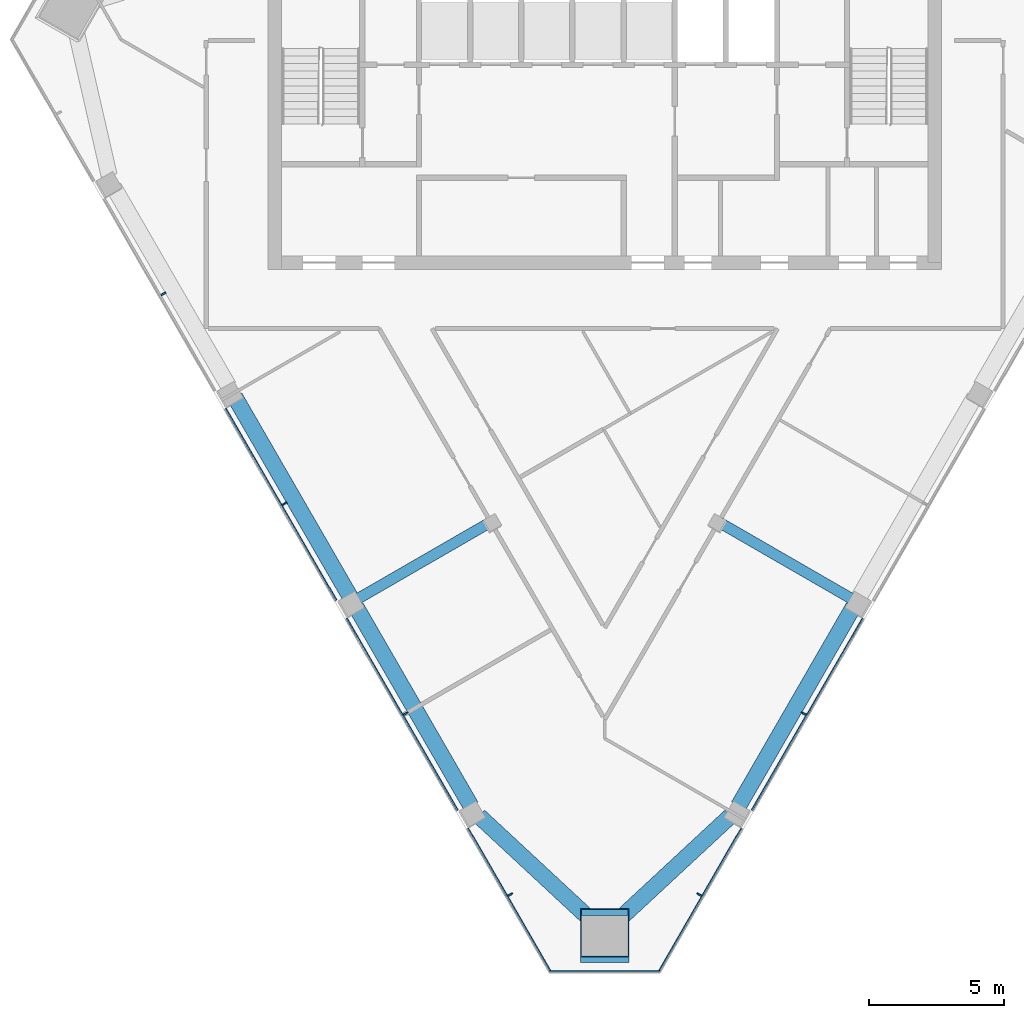
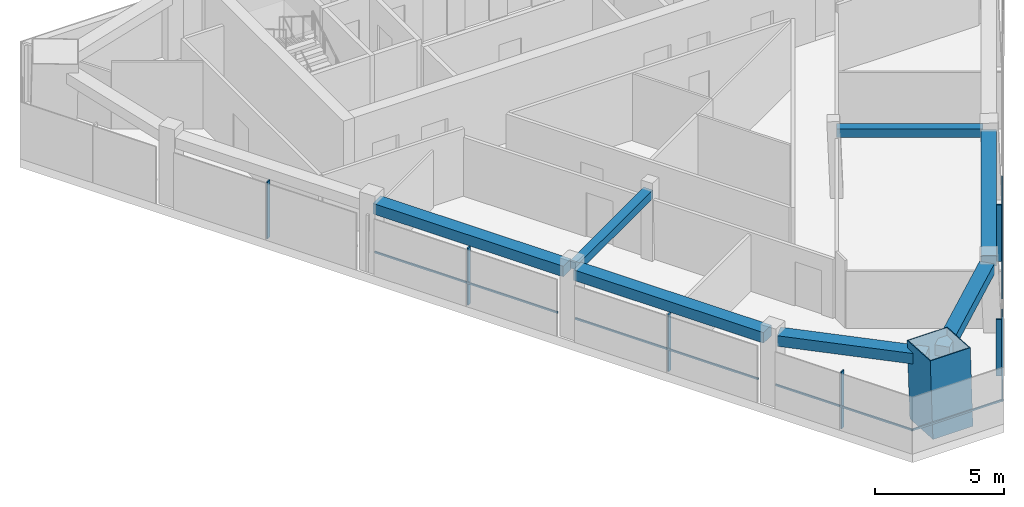
# One storey, part 2 of 9: 13 members, 7 beams, 3 elements without a shape of their own.
"""IFC4 building model written with IfcOpenShell, lengths in metres."""

from ifc_helpers import new_model, si_unit, direction, frame, origin, origin_2d, place, context, subcontext, project, spatial, rectangle, hollow_rectangle, extrude, material, layer, layer_set, material_profile, profile_set, type_object, element, aggregate, save


model = new_model("IFC4")

# Units and contexts
model_context = context("Model", 3, precision=1e-05, world=origin(), true_north=direction((0.0, 1.0)))
body_context = subcontext(model_context, "Body", "Model", "MODEL_VIEW")
ifc_project = project(units=[si_unit("LENGTHUNIT", "METRE"), si_unit("AREAUNIT", "SQUARE_METRE"), si_unit("VOLUMEUNIT", "CUBIC_METRE"), si_unit("PLANEANGLEUNIT", "RADIAN"), si_unit("MASSUNIT", "GRAM", prefix="KILO")], contexts=[model_context])

# Site, building, storey
site_placement = place(None, origin())
site = spatial("IfcSite", under=ifc_project, at=site_placement, CompositionType="ELEMENT")
building_placement = place(site_placement, origin())
building = spatial("IfcBuilding", under=site, at=building_placement, Name="Altiplano Prism Tower", CompositionType="ELEMENT")
storey_placement = place(building_placement, frame((0.0, 0.0, 302.199951171875)))
storey = spatial("IfcBuildingStorey", under=building, at=storey_placement, Name="L78", CompositionType="ELEMENT", Elevation=302.199951171875)

# Curtain wall, members
ifc_material_1 = material(Name="Aluminium and glass", Category="aluminium")
ifc_layer = layer(ifc_material_1, 0.303955078125)
ifc_layer_set = layer_set([ifc_layer], Name="Aluminium and glass")
curtain_wall_type = type_object("IfcCurtainWallType", Name="CW2 lounge-band unitised glazing", PredefinedType="NOTDEFINED", material=ifc_layer_set)
curtain_wall_1_placement = place(storey_placement, origin())
curtain_wall_1 = element("IfcCurtainWall", 1, at=curtain_wall_1_placement, inside=storey, type_object=curtain_wall_type, Name="CW2 curtain wall south-west face L78", PredefinedType="NOTDEFINED")
ifc_material_2 = material(Name="Aluminium", Category="aluminium")
ifc_material_profile_1 = material_profile(ifc_material_2, rectangle(XDim=0.199951171875, YDim=0.06005859375, at=origin_2d()), Name="CW2 mullion 60 x 200")
ifc_profile_set_1 = profile_set([ifc_material_profile_1], Name="Aluminium")
member_type_1 = type_object("IfcMemberType", Name="CW2 mullion 60 x 200", PredefinedType="MULLION", material=ifc_profile_set_1)
member_1_placement = place(storey_placement, frame((68.60498046875, 91.9873046875, 0.0), z_axis=(0.0, 0.0, 1.0), x_axis=(0.866025400564, 0.500000005577, 0.0)))
member_1 = element("IfcMember", 2, at=member_1_placement, type_object=member_type_1, Name="CW2 mullion", PredefinedType="MULLION", context=body_context, shape_type="SweptSolid", body=[
    extrude(rectangle(XDim=0.199951171875, YDim=0.06005859375, at=origin_2d()), origin(), (0.0, 0.0, 1.0), 2.699951171875),
])
member_2_placement = place(storey_placement, frame((73.10498046875, 84.193115234375, 0.0), z_axis=(0.0, 0.0, 1.0), x_axis=(0.866025400564, 0.500000005577, 0.0)))
member_2 = element("IfcMember", 3, at=member_2_placement, type_object=member_type_1, Name="CW2 mullion", PredefinedType="MULLION", context=body_context, shape_type="SweptSolid", body=[
    extrude(rectangle(XDim=0.199951171875, YDim=0.06005859375, at=origin_2d()), origin(), (0.0, 0.0, 1.0), 2.699951171875),
])
member_3_placement = place(storey_placement, frame((77.60498046875, 76.39892578125, 0.0), z_axis=(0.0, 0.0, 1.0), x_axis=(0.866025400564, 0.500000005577, 0.0)))
member_3 = element("IfcMember", 4, at=member_3_placement, type_object=member_type_1, Name="CW2 mullion", PredefinedType="MULLION", context=body_context, shape_type="SweptSolid", body=[
    extrude(rectangle(XDim=0.199951171875, YDim=0.06005859375, at=origin_2d()), origin(), (0.0, 0.0, 1.0), 2.699951171875),
])
member_4_placement = place(storey_placement, frame((81.48681640625, 69.67529296875, 0.0), z_axis=(0.0, 0.0, 1.0), x_axis=(0.866025400564, 0.500000005577, 0.0)))
member_4 = element("IfcMember", 5, at=member_4_placement, type_object=member_type_1, Name="CW2 mullion", PredefinedType="MULLION", context=body_context, shape_type="SweptSolid", body=[
    extrude(rectangle(XDim=0.199951171875, YDim=0.06005859375, at=origin_2d()), origin(), (0.0, 0.0, 1.0), 2.699951171875),
])

curtain_wall_2_placement = place(storey_placement, origin())
curtain_wall_2 = element("IfcCurtainWall", 6, at=curtain_wall_2_placement, inside=storey, type_object=curtain_wall_type, Name="CW2 curtain wall south-east face L78", PredefinedType="NOTDEFINED")
member_5_placement = place(storey_placement, frame((88.51318359375, 69.67529296875, 0.0), z_axis=(0.0, 0.0, 1.0), x_axis=(-0.866025400564, 0.500000005577, 0.0)))
member_5 = element("IfcMember", 7, at=member_5_placement, type_object=member_type_1, Name="CW2 mullion", PredefinedType="MULLION", context=body_context, shape_type="SweptSolid", body=[
    extrude(rectangle(XDim=0.199951171875, YDim=0.06005859375, at=origin_2d()), origin(), (0.0, 0.0, 1.0), 2.699951171875),
])
member_6_placement = place(storey_placement, frame((92.39501953125, 76.39892578125, 0.0), z_axis=(0.0, 0.0, 1.0), x_axis=(-0.866025400564, 0.500000005577, 0.0)))
member_6 = element("IfcMember", 8, at=member_6_placement, type_object=member_type_1, Name="CW2 mullion", PredefinedType="MULLION", context=body_context, shape_type="SweptSolid", body=[
    extrude(rectangle(XDim=0.199951171875, YDim=0.06005859375, at=origin_2d()), origin(), (0.0, 0.0, 1.0), 2.699951171875),
])

# Member
ifc_material_profile_2 = material_profile(ifc_material_2, rectangle(XDim=0.06005859375, YDim=0.080078125, at=origin_2d()), Name="CW2 transom 80 x 60")
ifc_profile_set_2 = profile_set([ifc_material_profile_2], Name="Aluminium")
member_type_2 = type_object("IfcMemberType", Name="CW2 transom 80 x 60", PredefinedType="USERDEFINED", material=ifc_profile_set_2)
member_7_placement = place(storey_placement, frame((70.91748046875, 87.7216796875, 1.10009765625), z_axis=(0.500013829788, -0.866017419005, 0.0), x_axis=(0.866017419005, 0.500013829788, 0.0)))
member_7 = element("IfcMember", 9, at=member_7_placement, type_object=member_type_2, Name="CW2 transom", ObjectType="TRANSOM", PredefinedType="USERDEFINED", context=body_context, shape_type="SweptSolid", body=[
    extrude(rectangle(XDim=0.06005859375, YDim=0.080078125, at=origin_2d()), origin(), (0.0, 0.0, 1.0), 8.219970703125),
])

member_8_placement = place(storey_placement, frame((75.41748046875, 79.927490234375, 1.10009765625), z_axis=(0.500013829788, -0.866017419005, 0.0), x_axis=(0.866017419005, 0.500013829788, 0.0)))
member_8 = element("IfcMember", 10, at=member_8_placement, type_object=member_type_2, Name="CW2 transom", ObjectType="TRANSOM", PredefinedType="USERDEFINED", context=body_context, shape_type="SweptSolid", body=[
    extrude(rectangle(XDim=0.06005859375, YDim=0.080078125, at=origin_2d()), origin(), (0.0, 0.0, 1.0), 8.219970703125),
])

member_9_placement = place(storey_placement, frame((79.91748046875, 72.133056640625, 1.10009765625), z_axis=(0.500020105363, -0.866013795637, 0.0), x_axis=(0.866013795637, 0.500020105363, 0.0)))
member_9 = element("IfcMember", 11, at=member_9_placement, type_object=member_type_2, Name="CW2 transom", ObjectType="TRANSOM", PredefinedType="USERDEFINED", context=body_context, shape_type="SweptSolid", body=[
    extrude(rectangle(XDim=0.06005859375, YDim=0.080078125, at=origin_2d()), origin(), (0.0, 0.0, 1.0), 6.177001953125),
])

aggregate(curtain_wall_1, [member_1, member_2, member_7, member_3, member_8, member_4, member_9])

# Curtain wall, member
curtain_wall_3_placement = place(storey_placement, origin())
curtain_wall_3 = element("IfcCurtainWall", 12, at=curtain_wall_3_placement, inside=storey, type_object=curtain_wall_type, Name="CW2 curtain wall south chamfer L78", PredefinedType="NOTDEFINED")
member_10_placement = place(storey_placement, frame((82.94189453125, 66.82080078125, 1.10009765625), z_axis=(1.0, 0.0, 0.0), x_axis=(0.0, 1.0, 0.0)))
member_10 = element("IfcMember", 13, at=member_10_placement, type_object=member_type_2, Name="CW2 transom", ObjectType="TRANSOM", PredefinedType="USERDEFINED", context=body_context, shape_type="SweptSolid", body=[
    extrude(rectangle(XDim=0.06005859375, YDim=0.080078125, at=origin_2d()), origin(), (0.0, 0.0, 1.0), 4.1162109375),
])
aggregate(curtain_wall_3, [member_10])

# Member
member_11_placement = place(storey_placement, frame((86.993896484375, 66.78369140625, 1.10009765625), z_axis=(0.500020105363, 0.866013795637, 0.0), x_axis=(-0.866013795637, 0.500020105363, 0.0)))
member_11 = element("IfcMember", 14, at=member_11_placement, type_object=member_type_2, Name="CW2 transom", ObjectType="TRANSOM", PredefinedType="USERDEFINED", context=body_context, shape_type="SweptSolid", body=[
    extrude(rectangle(XDim=0.06005859375, YDim=0.080078125, at=origin_2d()), origin(), (0.0, 0.0, 1.0), 6.177001953125),
])

member_12_placement = place(storey_placement, frame((90.472412109375, 72.808837890625, 1.10009765625), z_axis=(0.500013829788, 0.866017419005, 0.0), x_axis=(-0.866017419005, 0.500013829788, 0.0)))
member_12 = element("IfcMember", 15, at=member_12_placement, type_object=member_type_2, Name="CW2 transom", ObjectType="TRANSOM", PredefinedType="USERDEFINED", context=body_context, shape_type="SweptSolid", body=[
    extrude(rectangle(XDim=0.06005859375, YDim=0.080078125, at=origin_2d()), origin(), (0.0, 0.0, 1.0), 8.219970703125),
])

aggregate(curtain_wall_2, [member_5, member_11, member_6, member_12])

# Beams
ifc_material_3 = material(Name="Concrete C60/75", Category="concrete")
ifc_material_profile_3 = material_profile(ifc_material_3, rectangle(XDim=0.60009765625, YDim=0.5, at=origin_2d()), Name="Edge beam 600x500")
ifc_profile_set_3 = profile_set([ifc_material_profile_3], Name="Concrete C60/75")
beam_type_1 = type_object("IfcBeamType", Name="Edge beam 600x500", PredefinedType="SPANDREL", material=ifc_profile_set_3)
for number, where, z_axis, x_axis, name in (
    (16, (71.262939453125, 88.152587890625, 2.949951171875), (0.499994660107, -0.866028486751, 0.0), (0.866028486751, 0.499994660107, 0.0), "Edge beam P12-P13 L79"),
    (17, (75.762939453125, 80.3583984375, 2.949951171875), (0.499994660107, -0.866028486751, 0.0), (0.866028486751, 0.499994660107, 0.0), "Edge beam P13-P14 L79"),
):
    element("IfcBeam", number, at=place(storey_placement, frame(where, z_axis=z_axis, x_axis=x_axis)), inside=storey, type_object=beam_type_1, Name=name, PredefinedType="SPANDREL", context=body_context, shape_type="SweptSolid", body=[
        extrude(rectangle(XDim=0.60009765625, YDim=0.5, at=origin_2d()), origin(), (0.0, 0.0, 1.0), 8.5400390625),
    ])
for number, where, z_axis, x_axis, name in (
    (18, (80.328369140625, 72.595703125, 2.949951171875), (0.732746530238, -0.68050166967, 0.0), (0.68050166967, 0.732746530238, 0.0), "Edge beam P14-M1 L79"),
    (19, (85.329833984375, 68.5634765625, 2.949951171875), (0.732746530238, 0.68050166967, 0.0), (-0.68050166967, 0.732746530238, 0.0), "Edge beam M1-P21 L79"),
):
    element("IfcBeam", number, at=place(storey_placement, frame(where, z_axis=z_axis, x_axis=x_axis)), inside=storey, type_object=beam_type_1, Name=name, PredefinedType="SPANDREL", context=body_context, shape_type="SweptSolid", body=[
        extrude(rectangle(XDim=0.60009765625, YDim=0.5, at=origin_2d()), origin(), (0.0, 0.0, 1.0), 5.92529296875),
    ])
beam_placement = place(storey_placement, frame((89.967041015625, 72.96240234375, 2.949951171875), z_axis=(0.499994660107, 0.866028486751, 0.0), x_axis=(-0.866028486751, 0.499994660107, 0.0)))
element("IfcBeam", 20, at=beam_placement, inside=storey, type_object=beam_type_1, Name="Edge beam P21-P22 L79", PredefinedType="SPANDREL", context=body_context, shape_type="SweptSolid", body=[
    extrude(rectangle(XDim=0.60009765625, YDim=0.5, at=origin_2d()), origin(), (0.0, 0.0, 1.0), 8.5400390625),
])

# Member
ifc_material_4 = material(Name="Steel S460", Category="steel")
ifc_material_profile_4 = material_profile(ifc_material_4, hollow_rectangle(XDim=1.800048828125, YDim=1.800048828125, WallThickness=0.0400390625, at=origin_2d()), Name="Mega column tube 1800")
ifc_profile_set_4 = profile_set([ifc_material_profile_4], Name="Steel S460")
member_type_3 = type_object("IfcMemberType", Name="Mega column tube 1800", PredefinedType="POST", material=ifc_profile_set_4)
member_13_placement = place(storey_placement, frame((85.0, 68.046875, 0.0), z_axis=(0.0, 0.058356907999, 0.998295783467), x_axis=(-1.0, 0.0, 0.0)))
element("IfcMember", 21, at=member_13_placement, inside=storey, type_object=member_type_3, Name="Mega column tube M1 L78", PredefinedType="POST", context=body_context, shape_type="SweptSolid", body=[
    extrude(hollow_rectangle(XDim=1.800048828125, YDim=1.800048828125, WallThickness=0.0400390625, at=origin_2d()), origin(), (0.0, 0.0, 1.0), 3.606201171875),
])

# Beams
ifc_material_profile_5 = material_profile(ifc_material_3, rectangle(XDim=0.39990234375, YDim=0.39990234375, at=origin_2d()), Name="Tie beam 400x400")
ifc_profile_set_5 = profile_set([ifc_material_profile_5], Name="Concrete C60/75")
beam_type_2 = type_object("IfcBeamType", Name="Tie beam 400x400", PredefinedType="BEAM", material=ifc_profile_set_5)
for number, where, z_axis, x_axis, name in (
    (22, (80.77490234375, 83.517578125, 3.0), (-0.866029822496, -0.499992346489, 0.0), (0.499992346489, -0.866029822496, 0.0), "Tie beam I13 L79"),
    (23, (89.22509765625, 83.517578125, 3.0), (0.866029822496, -0.499992346489, 0.0), (0.499992346489, 0.866029822496, 0.0), "Tie beam I22 L79"),
):
    element("IfcBeam", number, at=place(storey_placement, frame(where, z_axis=z_axis, x_axis=x_axis)), inside=storey, type_object=beam_type_2, Name=name, PredefinedType="BEAM", context=body_context, shape_type="SweptSolid", body=[
        extrude(rectangle(XDim=0.39990234375, YDim=0.39990234375, at=origin_2d()), origin(), (0.0, 0.0, 1.0), 5.68994140625),
    ])

save(model, "model.ifc")
